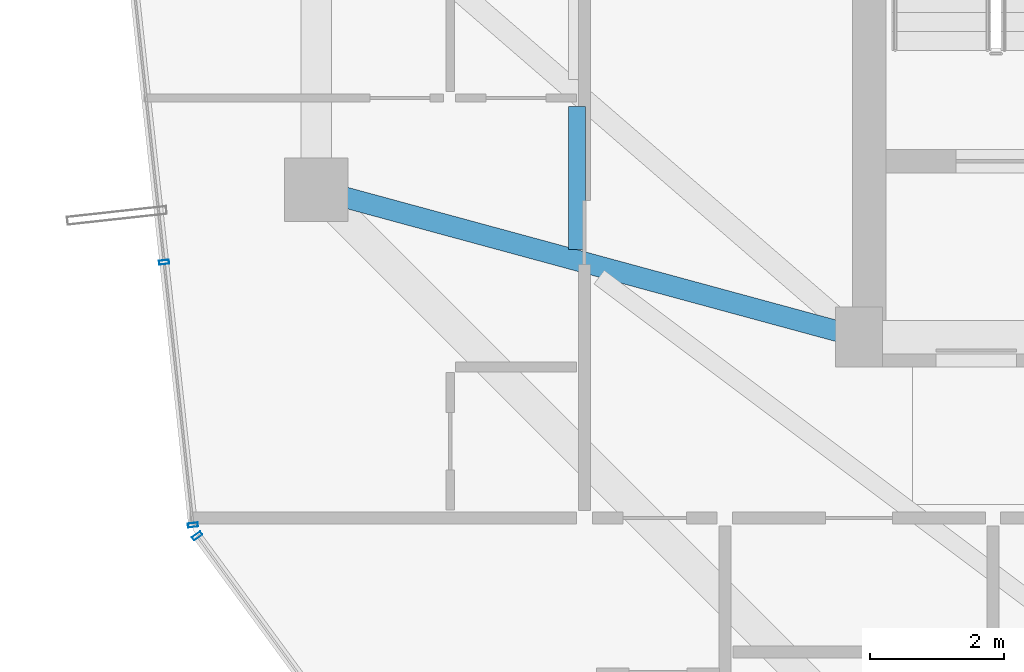
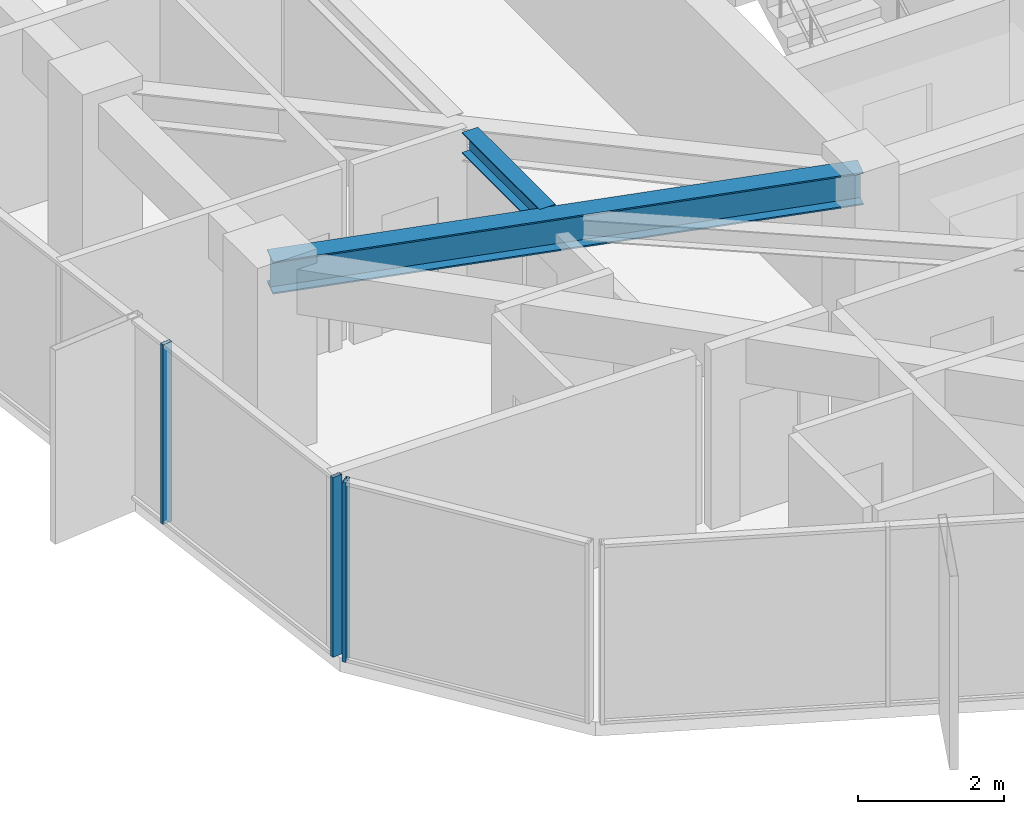
# One storey, part 5 of 32: 3 members, 2 beams, 2 elements without a shape of their own.
"""IFC4 building model written with IfcOpenShell, lengths in metres."""

from ifc_helpers import new_model, si_unit, direction, frame, origin, origin_2d, place, context, subcontext, project, spatial, hollow_rectangle, i_section, extrude, source, transform, mapped, material, layer, layer_set, material_profile, profile_set, type_object, element, aggregate, save


model = new_model("IFC4")

# Units and contexts
model_context = context("Model", 3, precision=1e-05, world=origin(), true_north=direction((0.0, 1.0)))
body_context = subcontext(model_context, "Body", "Model", "MODEL_VIEW")
ifc_project = project(units=[si_unit("LENGTHUNIT", "METRE"), si_unit("AREAUNIT", "SQUARE_METRE"), si_unit("VOLUMEUNIT", "CUBIC_METRE"), si_unit("PLANEANGLEUNIT", "RADIAN"), si_unit("MASSUNIT", "GRAM", prefix="KILO")], contexts=[model_context])

# Site, building, storey
site_placement = place(None, origin())
site = spatial("IfcSite", under=ifc_project, at=site_placement, CompositionType="ELEMENT")
building_placement = place(site_placement, origin())
building = spatial("IfcBuilding", under=site, at=building_placement, Name="Veraguas Prism Commons", CompositionType="ELEMENT")
storey_placement = place(building_placement, frame((0.0, 0.0, 185.35009765625)))
storey = spatial("IfcBuildingStorey", under=building, at=storey_placement, Name="L52", CompositionType="ELEMENT", Elevation=185.35009765625)

# Beams
ifc_material_1 = material(Name="Steel ASTM A992 Grade 50", Category="steel")
ifc_material_profile_1 = material_profile(ifc_material_1, i_section(OverallWidth=0.25390625, OverallDepth=0.35302734375, WebThickness=0.009521484375, FlangeThickness=0.016357421875, at=origin_2d()), Name="W360X91")
ifc_profile_set_1 = profile_set([ifc_material_profile_1], Name="Steel ASTM A992 Grade 50")
beam_type_1 = type_object("IfcBeamType", Name="Upper Floor Joist W360x91", PredefinedType="JOIST", material=ifc_profile_set_1)
beam_1_placement = place(storey_placement, frame((12.988037109375, 20.43701171875, 2.83837890625), z_axis=(0.0, -1.0, 0.0), x_axis=(1.0, 0.0, 0.0)))
element("IfcBeam", 1, at=beam_1_placement, inside=storey, type_object=beam_type_1, Name="Composite Floor Joist L52-JS08", PredefinedType="JOIST", context=body_context, shape_type="SweptSolid", body=[
    extrude(i_section(OverallWidth=0.25390625, OverallDepth=0.35302734375, WebThickness=0.009521484375, FlangeThickness=0.016357421875, at=origin_2d()), origin(), (0.0, 0.0, 1.0), 2.134033203125),
])
ifc_material_profile_2 = material_profile(ifc_material_1, i_section(OverallWidth=0.31103515625, OverallDepth=0.5458984375, WebThickness=0.0146484375, FlangeThickness=0.023681640625, at=origin_2d()), Name="W530X165")
ifc_profile_set_2 = profile_set([ifc_material_profile_2], Name="Steel ASTM A992 Grade 50")
beam_type_2 = type_object("IfcBeamType", Name="Zone 3 Radial Girder W530x165", PredefinedType="BEAM", material=ifc_profile_set_2)
beam_2_placement = place(storey_placement, frame((9.10009765625, 19.199951171875, 2.741943359375), z_axis=(0.965038506703, -0.262108146725, 0.0), x_axis=(0.262108146725, 0.965038506703, 0.0)))
element("IfcBeam", 2, at=beam_2_placement, inside=storey, type_object=beam_type_2, Name="Radial Floor Girder L52-RD09", PredefinedType="BEAM", context=body_context, shape_type="SweptSolid", body=[
    extrude(i_section(OverallWidth=0.31103515625, OverallDepth=0.5458984375, WebThickness=0.0146484375, FlangeThickness=0.023681640625, at=origin_2d()), origin(), (0.0, 0.0, 1.0), 8.393310546875),
])

# Curtain wall, members
ifc_material_2 = material(Name="Anodised aluminium EN AW-6063 T6", Category="aluminium")
ifc_layer = layer(ifc_material_2, 0.14990234375, Name="Unitised Flush Curtain Wall Zone 3", Category="aluminium")
ifc_layer_set = layer_set([ifc_layer], Name="Anodised aluminium EN AW-6063 T6")
curtain_wall_type = type_object("IfcCurtainWallType", Name="Unitised Flush Curtain Wall Zone 3", PredefinedType="NOTDEFINED", material=ifc_layer_set)
curtain_wall_1_placement = place(storey_placement, origin())
curtain_wall_1 = element("IfcCurtainWall", 3, at=curtain_wall_1_placement, inside=storey, type_object=curtain_wall_type, Name="Tower Facade Curtain Wall L52-F3", PredefinedType="NOTDEFINED")
ifc_material_profile_3 = material_profile(ifc_material_2, hollow_rectangle(XDim=0.06005859375, YDim=0.14990234375, WallThickness=0.0029296875, at=origin_2d()), Name="AL60X150X3")
ifc_profile_set_3 = profile_set([ifc_material_profile_3], Name="Anodised aluminium EN AW-6063 T6")
member_type = type_object("IfcMemberType", Name="Curtain Wall Mullion Upper AL 60x150x3", PredefinedType="MULLION", material=ifc_profile_set_3)
shared_shape = source(origin(), body_context, "Body", "SweptSolid", [
    extrude(hollow_rectangle(XDim=0.06005859375, YDim=0.14990234375, WallThickness=0.0029296875, at=origin_2d()), origin(), (0.0, 0.0, 1.0), 3.014892578125),
])
member_1_placement = place(storey_placement, frame((6.828857421875, 18.116943359375, 0.0), z_axis=(0.0, 0.0, 1.0), x_axis=(0.109045573519, -0.99403675128, 0.0)))
member_1 = element("IfcMember", 4, at=member_1_placement, type_object=member_type, Name="CW-Z3 Mullion 4", PredefinedType="MULLION", context=body_context, shape_type="MappedRepresentation", body=[
    mapped(shared_shape, transform((0.0, 0.0, 0.0), scale=1.0)),
])
member_2_placement = place(storey_placement, frame((7.259033203125, 14.19482421875, 0.0), z_axis=(0.0, 0.0, 1.0), x_axis=(0.109045573519, -0.99403675128, 0.0)))
member_2 = element("IfcMember", 5, at=member_2_placement, type_object=member_type, Name="CW-Z3 Mullion 5", PredefinedType="MULLION", context=body_context, shape_type="MappedRepresentation", body=[
    mapped(shared_shape, transform((0.0, 0.0, 0.0), scale=1.0)),
])
aggregate(curtain_wall_1, [member_1, member_2])

# Curtain wall, member
curtain_wall_2_placement = place(storey_placement, origin())
curtain_wall_2 = element("IfcCurtainWall", 6, at=curtain_wall_2_placement, inside=storey, type_object=curtain_wall_type, Name="Chamfer Curtain Wall L52-C4", PredefinedType="NOTDEFINED")
member_3_placement = place(storey_placement, frame((7.322265625, 14.03271484375, 0.0), z_axis=(0.0, 0.0, 1.0), x_axis=(0.5914630564, -0.806332098402, 0.0)))
member_3 = element("IfcMember", 7, at=member_3_placement, type_object=member_type, Name="CW-Z3 Mullion 1", PredefinedType="MULLION", context=body_context, shape_type="MappedRepresentation", body=[
    mapped(shared_shape, transform((0.0, 0.0, 0.0), scale=1.0)),
])
aggregate(curtain_wall_2, [member_3])

save(model, "model.ifc")
